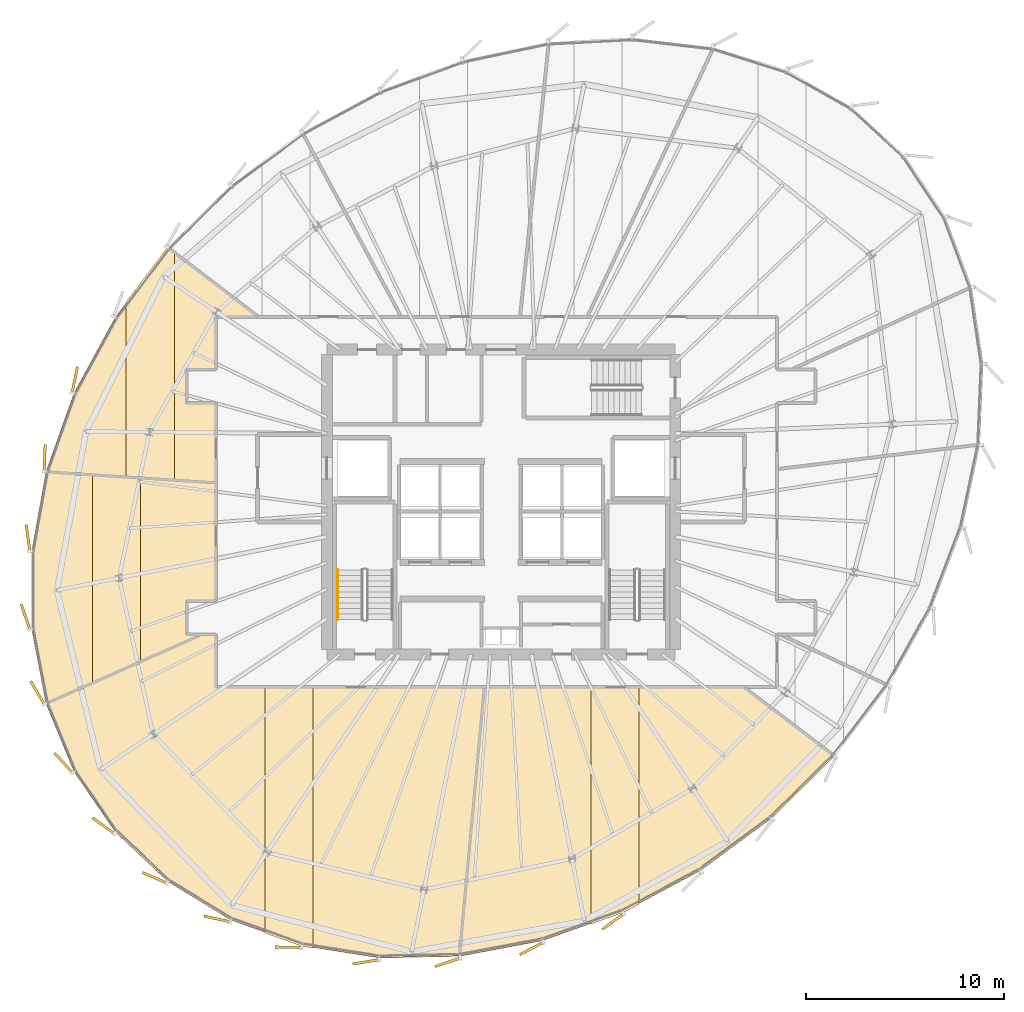
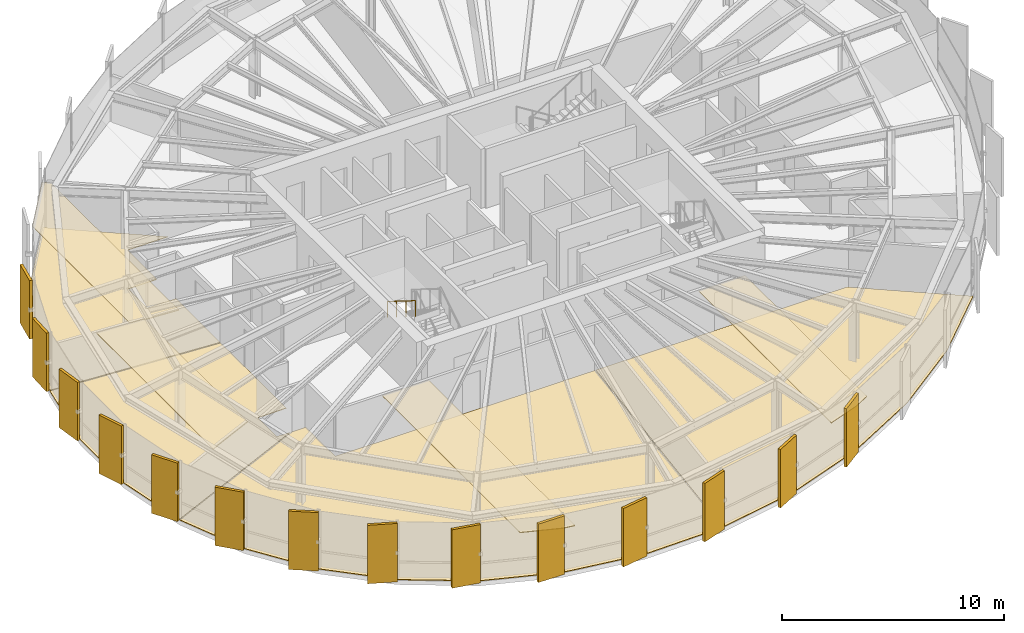
# One storey, part 34 of 36: 22 coverings, 1 railing.
"""IFC4 building model written with IfcOpenShell, lengths in metres."""

from ifc_helpers import new_model, si_unit, direction, frame, origin, origin_2d, place, context, subcontext, project, spatial, polyline, rectangle, circle, outline, extrude, source, transform, mapped, material, layer, layer_set, type_object, element, save


model = new_model("IFC4")

# Units and contexts
model_context = context("Model", 3, precision=1e-05, world=origin(), true_north=direction((0.0, 1.0)))
body_context = subcontext(model_context, "Body", "Model", "MODEL_VIEW")
ifc_project = project(units=[si_unit("LENGTHUNIT", "METRE"), si_unit("AREAUNIT", "SQUARE_METRE"), si_unit("VOLUMEUNIT", "CUBIC_METRE"), si_unit("PLANEANGLEUNIT", "RADIAN"), si_unit("MASSUNIT", "GRAM", prefix="KILO"), si_unit("THERMODYNAMICTEMPERATUREUNIT", "KELVIN")], contexts=[model_context])

# Site, building, storey
site_placement = place(None, origin())
site = spatial("IfcSite", under=ifc_project, at=site_placement, CompositionType="ELEMENT")
building_placement = place(site_placement, origin())
building = spatial("IfcBuilding", under=site, at=building_placement, Name="Kethvar Cultural Tower", CompositionType="ELEMENT")
storey_placement = place(building_placement, frame((0.0, 0.0, 197.39990234375)))
storey = spatial("IfcBuildingStorey", under=building, at=storey_placement, Name="L51", CompositionType="ELEMENT", Elevation=197.39990234375)

# Coverings
ifc_material_1 = material(Name="Acoustic Mineral Fibre Ceiling")
ifc_layer_1 = layer(ifc_material_1, 0.0400390625, Name="Acoustic Mineral Fibre Ceiling")
ifc_layer_set_1 = layer_set([ifc_layer_1], Name="Acoustic Mineral Fibre Ceiling (40 mm)")
covering_type_1 = type_object("IfcCoveringType", Name="CV-ACOUSTIC-CEIL", PredefinedType="CEILING", material=ifc_layer_set_1)
covering_1_placement = place(storey_placement, frame((0.0, 0.0, 2.4501953125)))
element("IfcCovering", 1, at=covering_1_placement, inside=storey, type_object=covering_type_1, Name="L51 Room 01 Acoustic Ceiling Panel", PredefinedType="CEILING", context=body_context, shape_type="SweptSolid", body=[
    extrude(outline(polyline([(36.7275390625, 5.345458984375), (34.861083984375, 6.01953125), (34.861083984375, 18.469970703125), (37.291259765625, 18.469970703125), (37.291259765625, 5.256103515625), (36.7275390625, 5.345458984375)])), origin(), (0.0, 0.0, 1.0), 0.039794921875),
])
covering_2_placement = place(storey_placement, frame((0.0, 0.0, 2.4501953125)))
element("IfcCovering", 2, at=covering_2_placement, inside=storey, type_object=covering_type_1, Name="L51 Room 02 Acoustic Ceiling Panel", PredefinedType="CEILING", context=body_context, shape_type="SweptSolid", body=[
    extrude(outline(polyline([(52.974853515625, 7.04736328125), (51.347900390625, 6.468505859375), (51.347900390625, 18.469970703125), (53.778076171875, 18.469970703125), (53.778076171875, 7.476318359375), (52.974853515625, 7.04736328125)])), origin(), (0.0, 0.0, 1.0), 0.039794921875),
])
covering_3_placement = place(storey_placement, frame((0.0, 0.0, 2.4501953125)))
element("IfcCovering", 3, at=covering_3_placement, inside=storey, type_object=covering_type_1, Name="L51 Room 10 Acoustic Ceiling Panel", PredefinedType="CEILING", context=body_context, shape_type="SweptSolid", body=[
    extrude(outline(polyline([(29.938232421875, 40.673583984375), (30.28369140625, 40.43505859375), (30.28369140625, 28.886474609375), (27.853759765625, 29.04931640625), (27.853759765625, 37.918212890625), (29.938232421875, 40.673583984375)])), origin(), (0.0, 0.0, 1.0), 0.039794921875),
])
covering_4_placement = place(storey_placement, frame((0.0, 0.0, 2.4501953125)))
element("IfcCovering", 4, at=covering_4_placement, inside=storey, type_object=covering_type_1, Name="L51 Room 11 Acoustic Ceiling Panel", PredefinedType="CEILING", context=body_context, shape_type="SweptSolid", body=[
    extrude(outline(polyline([(28.58642578125, 29.040283203125), (28.58642578125, 19.712158203125), (26.156494140625, 18.635986328125), (26.156494140625, 29.202880859375), (28.58642578125, 29.040283203125)])), origin(), (0.0, 0.0, 1.0), 0.039794921875),
])
ifc_material_2 = material(Name="Honed Warm Limestone", Category="masonry")
ifc_layer_2 = layer(ifc_material_2, 0.030029296875, Name="Honed Warm Limestone", Category="masonry")
ifc_layer_set_2 = layer_set([ifc_layer_2], Name="Honed Warm Limestone (30 mm)")
covering_type_2 = type_object("IfcCoveringType", Name="CV-STONE-FLOOR", PredefinedType="FLOORING", material=ifc_layer_set_2)
covering_5_placement = place(storey_placement, origin())
element("IfcCovering", 5, at=covering_5_placement, inside=storey, type_object=covering_type_2, Name="L51 Room 01 Floor Finish", PredefinedType="FLOORING", context=body_context, shape_type="SweptSolid", body=[
    extrude(outline(polyline([(40.634521484375, 4.767333984375), (36.735595703125, 5.384765625), (33.142822265625, 6.682861328125), (29.965087890625, 8.62255859375), (27.299072265625, 11.14453125), (25.22509765625, 14.172607421875), (23.81298828125, 17.598388671875), (31.675048828125, 21.080078125), (32.3798828125, 21.080078125), (32.39599609375, 18.430419921875), (45.9326171875, 18.429931640625), (44.704345703125, 4.849365234375), (40.634521484375, 4.767333984375)])), origin(), (0.0, 0.0, 1.0), 0.030029296875),
])
covering_6_placement = place(storey_placement, origin())
element("IfcCovering", 6, at=covering_6_placement, inside=storey, type_object=covering_type_2, Name="L51 Room 02 Floor Finish", PredefinedType="FLOORING", context=body_context, shape_type="SweptSolid", body=[
    extrude(outline(polyline([(60.451416015625, 11.816162109375), (56.857177734375, 9.166748046875), (52.957275390625, 7.083251953125), (48.870361328125, 5.629638671875), (44.7451171875, 4.854248046875), (45.97265625, 18.429931640625), (59.057373046875, 18.429931640625), (63.626708984375, 14.946533203125), (60.451416015625, 11.816162109375)])), origin(), (0.0, 0.0, 1.0), 0.030029296875),
])
covering_7_placement = place(storey_placement, origin())
element("IfcCovering", 7, at=covering_7_placement, inside=storey, type_object=covering_type_2, Name="L51 Room 10 Floor Finish", PredefinedType="FLOORING", context=body_context, shape_type="SweptSolid", body=[
    extrude(outline(polyline([(23.815185546875, 29.35986328125), (25.226318359375, 33.31298828125), (27.301513671875, 37.122314453125), (29.9580078125, 40.63330078125), (34.494140625, 37.169921875), (32.388916015625, 37.16650390625), (32.3798828125, 34.52001953125), (30.880859375, 34.505859375), (30.884521484375, 32.787353515625), (32.3798828125, 32.780029296875), (32.3798828125, 28.7861328125), (23.815185546875, 29.35986328125)])), origin(), (0.0, 0.0, 1.0), 0.030029296875),
])
covering_8_placement = place(storey_placement, origin())
element("IfcCovering", 8, at=covering_8_placement, inside=storey, type_object=covering_type_2, Name="L51 Room 11 Floor Finish", PredefinedType="FLOORING", context=body_context, shape_type="SweptSolid", body=[
    extrude(outline(polyline([(23.086181640625, 21.3662109375), (23.08642578125, 25.313232421875), (23.80419921875, 29.3203125), (32.3798828125, 28.74609375), (32.3798828125, 22.820068359375), (30.880126953125, 22.802001953125), (30.881591796875, 21.09228515625), (31.576171875, 21.080078125), (23.802001953125, 17.63720703125), (23.086181640625, 21.3662109375)])), origin(), (0.0, 0.0, 1.0), 0.030029296875),
])

# Railing
ifc_material_3 = material(Name="Steel S355J2", Category="steel")
railing_type = type_object("IfcRailingType", Name="RL-STAIR-HANDRAIL", PredefinedType="HANDRAIL", material=ifc_material_3)
railing_placement = place(storey_placement, frame((38.5400390625, 24.3701171875, 1.925048828125)))
element("IfcRailing", 9, at=railing_placement, inside=storey, type_object=railing_type, Name="L51 ST-01 stair handrail 2", PredefinedType="HANDRAIL", context=body_context, shape_type="SweptSolid", body=[
    extrude(circle(Radius=0.02392578125, at=origin_2d()), frame((0.0, 0.0, 0.8759765625), z_axis=(0.0, -0.848007534815, 0.529984170421), x_axis=(1.0, 0.0, 0.0)), (0.0, 0.0, 1.0), 2.9716796875),
    extrude(circle(Radius=0.02099609375, at=origin_2d()), origin(), (0.0, 0.0, 1.0), 0.851806640625),
    extrude(circle(Radius=0.02099609375, at=origin_2d()), frame((0.0, -0.840087890625, 0.52490234375)), (0.0, 0.0, 1.0), 0.851806640625),
    extrude(circle(Radius=0.02099609375, at=origin_2d()), frame((0.0, -1.679931640625, 1.050048828125)), (0.0, 0.0, 1.0), 0.851806640625),
    extrude(circle(Radius=0.02099609375, at=origin_2d()), frame((0.0, -2.52001953125, 1.574951171875)), (0.0, 0.0, 1.0), 0.851806640625),
])

# Coverings
ifc_material_4 = material(Name="Extruded Architectural Terracotta", Category="masonry")
ifc_layer_3 = layer(ifc_material_4, 0.135009765625, Name="Extruded Architectural Terracotta", Category="masonry")
ifc_layer_set_3 = layer_set([ifc_layer_3], Name="Extruded Architectural Terracotta (135 mm)")
covering_type_3 = type_object("IfcCoveringType", Name="Terracotta Facade Fin FIN-03", PredefinedType="CLADDING", material=ifc_layer_set_3)
shared_shape = source(origin(), body_context, "Body", "SweptSolid", [
    extrude(rectangle(XDim=1.35009765625, YDim=0.135009765625, at=origin_2d()), origin(), (0.0, 0.0, 1.0), 3.219970703125),
])
for number, where, z_axis, x_axis, name in (
    (10, (25.255859375, 33.97265625, 0.02001953125), (0.0, 0.0, 1.0), (0.201761744624, 0.979434632023, 0.0), "L51 Vertical Terracotta Fin 3.1"),
    (11, (23.734130859375, 30.0302734375, 0.02001953125), (0.0, 0.0, 1.0), (0.037515773182, 0.999296035598, 0.0), "L51 Vertical Terracotta Fin 3.2"),
    (12, (22.892578125, 25.9833984375, 0.02001953125), (0.0, 0.0, 1.0), (-0.13917310096, 0.990268068742, 0.0), "L51 Vertical Terracotta Fin 3.3"),
    (13, (22.769287109375, 21.98779296875, 0.02001953125), (0.0, 0.0, 1.0), (-0.323422004683, 0.946254831896, 0.0), "L51 Vertical Terracotta Fin 3.4"),
    (14, (23.37158203125, 18.160400390625, 0.02001953125), (0.0, 0.0, 1.0), (-0.506033764121, 0.862513669207, 0.0), "L51 Vertical Terracotta Fin 3.5"),
    (15, (24.686279296875, 14.6162109375, 0.02001953125), (0.0, 0.0, 1.0), (-0.674431262084, 0.738337641411, 0.0), "L51 Vertical Terracotta Fin 3.6"),
    (16, (26.706787109375, 11.437744140625, 0.02001953125), (0.0, 0.0, 1.0), (-0.815026679676, 0.579423430158, 0.0), "L51 Vertical Terracotta Fin 4.1"),
    (17, (29.291748046875, 8.806396484375, 0.02001953125), (0.0, 0.0, 1.0), (-0.917754625684, 0.397147890635, 0.0), "L51 Vertical Terracotta Fin 4.2"),
    (18, (32.446533203125, 6.728515625, 0.02001953125), (0.0, 0.0, 1.0), (-0.978616819224, 0.205691811048, 0.0), "L51 Vertical Terracotta Fin 4.3"),
    (19, (36.043212890625, 5.2978515625, 0.02001953125), (0.0, 0.0, 1.0), (-0.999847695156, 0.017452406437, 0.0), "L51 Vertical Terracotta Fin 4.4"),
    (20, (39.96826171875, 4.559814453125, 0.02001953125), (0.0, 0.0, 1.0), (-0.98724764263, -0.159191997666, 0.0), "L51 Vertical Terracotta Fin 4.5"),
    (21, (44.097900390625, 4.535400390625, 0.02001953125), (0.0, 0.0, 1.0), (-0.947545503457, -0.319620898688, 0.0), "L51 Vertical Terracotta Fin 4.6"),
    (22, (48.3408203125, 5.235595703125, 0.02001953125), (0.0, 0.0, 1.0), (-0.886365246062, -0.462986663495, 0.0), "L51 Vertical Terracotta Fin 5.1"),
    (23, (52.457763671875, 6.596435546875, 0.02001953125), (0.0, 0.0, 1.0), (-0.807887037428, -0.589337369217, 0.0), "L51 Vertical Terracotta Fin 5.2"),
):
    element("IfcCovering", number, at=place(storey_placement, frame(where, z_axis=z_axis, x_axis=x_axis)), inside=storey, type_object=covering_type_3, Name=name, PredefinedType="CLADDING", context=body_context, shape_type="MappedRepresentation", body=[
        mapped(shared_shape, transform((0.0, 0.0, 0.0), scale=1.0)),
    ])

save(model, "model.ifc")
